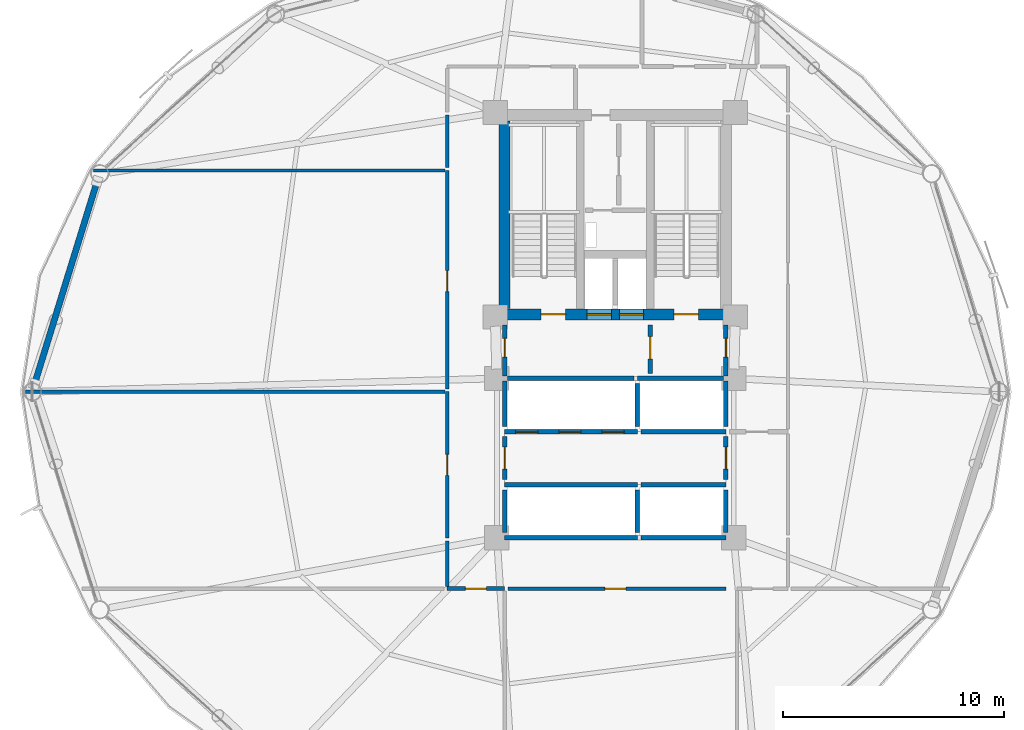
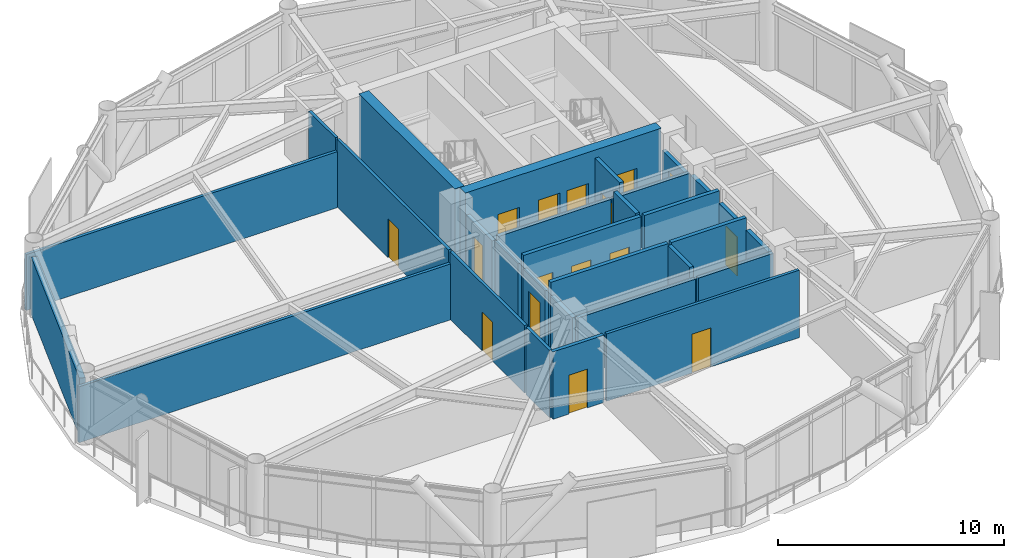
# One storey, part 21 of 26: 30 walls, 16 doors, 16 openings.
"""IFC4 building model written with IfcOpenShell, lengths in metres."""

from ifc_helpers import new_model, si_unit, direction, frame, frame_2d, origin, place, context, subcontext, project, spatial, rectangle, extrude, material, layer, layer_set, type_object, element, fill, save


model = new_model("IFC4")

# Units and contexts
model_context = context("Model", 3, precision=1e-05, world=origin(), true_north=direction((0.0, 1.0)))
body_context = subcontext(model_context, "Body", "Model", "MODEL_VIEW")
ifc_project = project(units=[si_unit("LENGTHUNIT", "METRE"), si_unit("AREAUNIT", "SQUARE_METRE"), si_unit("VOLUMEUNIT", "CUBIC_METRE"), si_unit("PLANEANGLEUNIT", "RADIAN"), si_unit("MASSUNIT", "GRAM", prefix="KILO")], contexts=[model_context])

# Site, building, storey
site_placement = place(None, origin())
site = spatial("IfcSite", under=ifc_project, at=site_placement, CompositionType="ELEMENT")
building_placement = place(site_placement, origin())
building = spatial("IfcBuilding", under=site, at=building_placement, Name="Varnakorn Sky Granary", CompositionType="ELEMENT")
storey_placement = place(building_placement, frame((0.0, 0.0, 87.60009765625)))
storey = spatial("IfcBuildingStorey", under=building, at=storey_placement, Name="L21", CompositionType="ELEMENT", Elevation=87.60009765625)

# Wall, openings, doors
ifc_material_1 = material(Name="Concrete C60/75", Category="concrete")
ifc_layer_1 = layer(ifc_material_1, 0.5, Name="Concrete C60/75")
ifc_layer_set_1 = layer_set([ifc_layer_1], Name="Concrete C60/75")
wall_type_1 = type_object("IfcWallType", Name="WT-CW-SHEAR-500", PredefinedType="SHEAR", material=ifc_layer_set_1)
wall_1_placement = place(storey_placement, frame((-2.0, 3.5, 0.0), z_axis=(0.0, 0.0, 1.0), x_axis=(1.0, 0.0, 0.0)))
wall_1 = element("IfcWall", 1, at=wall_1_placement, inside=storey, type_object=wall_type_1, Name="Core South Shear Wall L21", PredefinedType="SHEAR", context=body_context, shape_type="SweptSolid", body=[
    extrude(rectangle(XDim=10.0, YDim=0.5, at=frame_2d((5.0, 0.0))), origin(), (0.0, 0.0, 1.0), 3.891845703125),
])
opening_1_placement = place(wall_1_placement, frame((1.64990234375, 0.0, 0.0)))
opening_1 = element("IfcOpeningElement", 2, at=opening_1_placement, cuts=wall_1, Name="Opening FD-90", PredefinedType="OPENING", context=body_context, shape_type="SweptSolid", body=[
    extrude(rectangle(XDim=1.10009765625, YDim=2.14990234375, at=frame_2d((0.550048828125, 1.074951171875))), frame((0.0, 0.260009765625, 0.0), z_axis=(0.0, -1.0, 0.0), x_axis=(1.0, 0.0, 0.0)), (0.0, 0.0, 1.0), 0.52001953125),
])
opening_2_placement = place(wall_1_placement, frame((7.64990234375, 0.0, 0.0)))
opening_2 = element("IfcOpeningElement", 3, at=opening_2_placement, cuts=wall_1, Name="Opening FD-90", PredefinedType="OPENING", context=body_context, shape_type="SweptSolid", body=[
    extrude(rectangle(XDim=1.10009765625, YDim=2.14990234375, at=frame_2d((0.550048828125, 1.074951171875))), frame((0.0, 0.260009765625, 0.0), z_axis=(0.0, -1.0, 0.0), x_axis=(1.0, 0.0, 0.0)), (0.0, 0.0, 1.0), 0.52001953125),
])
opening_3_placement = place(wall_1_placement, frame((3.719970703125, 0.0, 0.0)))
opening_3 = element("IfcOpeningElement", 4, at=opening_3_placement, cuts=wall_1, Name="Opening LD-01", PredefinedType="OPENING", context=body_context, shape_type="SweptSolid", body=[
    extrude(rectangle(XDim=1.10009765625, YDim=2.199951171875, at=frame_2d((0.550048828125, 1.10009765625))), frame((0.0, 0.260009765625, 0.0), z_axis=(0.0, -1.0, 0.0), x_axis=(1.0, 0.0, 0.0)), (0.0, 0.0, 1.0), 0.52001953125),
])
opening_4_placement = place(wall_1_placement, frame((5.179931640625, 0.0, 0.0)))
opening_4 = element("IfcOpeningElement", 5, at=opening_4_placement, cuts=wall_1, Name="Opening LD-01", PredefinedType="OPENING", context=body_context, shape_type="SweptSolid", body=[
    extrude(rectangle(XDim=1.10009765625, YDim=2.199951171875, at=frame_2d((0.550048828125, 1.10009765625))), frame((0.0, 0.260009765625, 0.0), z_axis=(0.0, -1.0, 0.0), x_axis=(1.0, 0.0, 0.0)), (0.0, 0.0, 1.0), 0.52001953125),
])
ifc_material_2 = material(Name="Brushed Bronze Stainless Steel", Category="steel")
door_type_1 = type_object("IfcDoorType", Name="DR-LD-1100", OperationType="DOUBLE_DOOR_SLIDING", PredefinedType="DOOR", material=ifc_material_2)
door_1_placement = place(opening_3_placement, origin())
door_1 = element("IfcDoor", 6, at=door_1_placement, inside=storey, type_object=door_type_1, Name="Firefighting Lift FFL-1 Landing Door L21", OperationType="DOUBLE_DOOR_SLIDING", OverallHeight=2.199951171875, OverallWidth=1.10009765625, PredefinedType="DOOR", context=body_context, shape_type="SweptSolid", body=[
    extrude(rectangle(XDim=1.10009765625, YDim=2.199951171875, at=frame_2d((0.550048828125, 1.10009765625))), frame((0.0, 0.02490234375, 0.0), z_axis=(0.0, -1.0, 0.0), x_axis=(1.0, 0.0, 0.0)), (0.0, 0.0, 1.0), 0.050048828125),
])
fill(opening_3, door_1)
door_2_placement = place(opening_4_placement, origin())
door_2 = element("IfcDoor", 7, at=door_2_placement, inside=storey, type_object=door_type_1, Name="Firefighting Lift FFL-2 Landing Door L21", OperationType="DOUBLE_DOOR_SLIDING", OverallHeight=2.199951171875, OverallWidth=1.10009765625, PredefinedType="DOOR", context=body_context, shape_type="SweptSolid", body=[
    extrude(rectangle(XDim=1.10009765625, YDim=2.199951171875, at=frame_2d((0.550048828125, 1.10009765625))), frame((0.0, 0.02490234375, 0.0), z_axis=(0.0, -1.0, 0.0), x_axis=(1.0, 0.0, 0.0)), (0.0, 0.0, 1.0), 0.050048828125),
])
fill(opening_4, door_2)
ifc_material_3 = material(Name="Galvanised Painted Steel Leaf", Category="steel")
door_type_2 = type_object("IfcDoorType", Name="DR-STAIR-1100", OperationType="NOTDEFINED", PredefinedType="DOOR", material=ifc_material_3)
door_3_placement = place(opening_1_placement, origin())
door_3 = element("IfcDoor", 8, at=door_3_placement, inside=storey, type_object=door_type_2, Name="Stair ST-1 Protected Fire Door L21", OperationType="SINGLE_SWING_LEFT", OverallHeight=2.14990234375, OverallWidth=1.10009765625, PredefinedType="DOOR", context=body_context, shape_type="SweptSolid", body=[
    extrude(rectangle(XDim=1.10009765625, YDim=2.14990234375, at=frame_2d((0.550048828125, 1.074951171875))), frame((0.0, 0.02490234375, 0.0), z_axis=(0.0, -1.0, 0.0), x_axis=(1.0, 0.0, 0.0)), (0.0, 0.0, 1.0), 0.050048828125),
])
fill(opening_1, door_3)
door_4_placement = place(opening_2_placement, origin())
door_4 = element("IfcDoor", 9, at=door_4_placement, inside=storey, type_object=door_type_2, Name="Stair ST-2 Protected Fire Door L21", OperationType="SINGLE_SWING_RIGHT", OverallHeight=2.14990234375, OverallWidth=1.10009765625, PredefinedType="DOOR", context=body_context, shape_type="SweptSolid", body=[
    extrude(rectangle(XDim=1.10009765625, YDim=2.14990234375, at=frame_2d((0.550048828125, 1.074951171875))), frame((0.0, 0.02490234375, 0.0), z_axis=(0.0, -1.0, 0.0), x_axis=(1.0, 0.0, 0.0)), (0.0, 0.0, 1.0), 0.050048828125),
])
fill(opening_2, door_4)

# Walls
wall_2_placement = place(storey_placement, frame((-2.0, 3.760009765625, 0.0), z_axis=(0.0, 0.0, 1.0), x_axis=(0.0, 1.0, 0.0)))
element("IfcWall", 10, at=wall_2_placement, inside=storey, type_object=wall_type_1, Name="Core West Shear Wall L21", PredefinedType="SHEAR", context=body_context, shape_type="SweptSolid", body=[
    extrude(rectangle(XDim=8.47998046875, YDim=0.5, at=frame_2d((4.239990234375, 0.0))), origin(), (0.0, 0.0, 1.0), 3.891845703125),
])
ifc_material_4 = material(Name="Precast concrete C40/50", Category="concrete")
ifc_layer_2 = layer(ifc_material_4, 0.280029296875, Name="Precast concrete C40/50")
ifc_layer_set_2 = layer_set([ifc_layer_2], Name="Precast concrete C40/50")
wall_type_2 = type_object("IfcWallType", Name="WT-EW-CRN-280", PredefinedType="SOLIDWALL", material=ifc_layer_set_2)
wall_3_placement = place(storey_placement, frame((-23.243408203125, 0.345458984375, 0.0), z_axis=(0.0, 0.0, 1.0), x_axis=(0.295087073691, 0.955470365286, 0.0)))
element("IfcWall", 11, at=wall_3_placement, inside=storey, type_object=wall_type_2, Name="Agritech Insulated Precast Facade Wall L21-P06", PredefinedType="SOLIDWALL", context=body_context, shape_type="SweptSolid", body=[
    extrude(rectangle(XDim=9.593994140625, YDim=0.280029296875, at=frame_2d((4.796875, 0.0))), origin(), (0.0, 0.0, 1.0), 3.10986328125),
])

# Wall, opening, door
ifc_material_5 = material(Name="Autoclaved Aerated Concrete Blockwork", Category="masonry")
ifc_layer_3 = layer(ifc_material_5, 0.199951171875, Name="Autoclaved Aerated Concrete Blockwork")
ifc_layer_set_3 = layer_set([ifc_layer_3], Name="Autoclaved Aerated Concrete Blockwork")
wall_type_3 = type_object("IfcWallType", Name="WT-FIRE-200", PredefinedType="MOVABLE", material=ifc_layer_set_3)
wall_4_placement = place(storey_placement, frame((4.580078125, 0.830078125, 0.0), z_axis=(0.0, 0.0, 1.0), x_axis=(0.0, 1.0, 0.0)))
wall_4 = element("IfcWall", 12, at=wall_4_placement, inside=storey, type_object=wall_type_3, Name="Interior Partition Wall L21-017", PredefinedType="MOVABLE", context=body_context, shape_type="SweptSolid", body=[
    extrude(rectangle(XDim=2.18994140625, YDim=0.199951171875, at=frame_2d((1.094970703125, 0.0))), origin(), (0.0, 0.0, 1.0), 3.639892578125),
])
opening_5_placement = place(wall_4_placement, frame((0.659912109375, 0.0, 0.0)))
opening_5 = element("IfcOpeningElement", 13, at=opening_5_placement, cuts=wall_4, Name="Opening FD-60", PredefinedType="OPENING", context=body_context, shape_type="SweptSolid", body=[
    extrude(rectangle(XDim=1.0, YDim=2.10009765625, at=frame_2d((0.5, 1.050048828125))), frame((0.0, 0.10986328125, 0.0), z_axis=(0.0, -1.0, 0.0), x_axis=(1.0, 0.0, 0.0)), (0.0, 0.0, 1.0), 0.219970703125),
])
ifc_material_6 = material(Name="Acoustic Timber Fire Leaf", Category="wood")
door_type_3 = type_object("IfcDoorType", Name="DR-FD60-1000", OperationType="NOTDEFINED", PredefinedType="DOOR", material=ifc_material_6)
door_5_placement = place(opening_5_placement, origin())
door_5 = element("IfcDoor", 14, at=door_5_placement, inside=storey, type_object=door_type_3, Name="Interior Door L21-017-1", OperationType="SINGLE_SWING_RIGHT", OverallHeight=2.10009765625, OverallWidth=1.0, PredefinedType="DOOR", context=body_context, shape_type="SweptSolid", body=[
    extrude(rectangle(XDim=1.0, YDim=2.10009765625, at=frame_2d((0.5, 1.050048828125))), frame((0.0, 0.02490234375, 0.0), z_axis=(0.0, -1.0, 0.0), x_axis=(1.0, 0.0, 0.0)), (0.0, 0.0, 1.0), 0.050048828125),
])
fill(opening_5, door_5)

wall_5_placement = place(storey_placement, frame((-2.0, 0.719970703125, 0.0), z_axis=(0.0, 0.0, 1.0), x_axis=(0.0, 1.0, 0.0)))
wall_5 = element("IfcWall", 15, at=wall_5_placement, inside=storey, type_object=wall_type_3, Name="Interior Partition Wall L21-018", PredefinedType="MOVABLE", context=body_context, shape_type="SweptSolid", body=[
    extrude(rectangle(XDim=2.300048828125, YDim=0.199951171875, at=frame_2d((1.14990234375, 0.0))), origin(), (0.0, 0.0, 1.0), 2.871826171875),
])
opening_6_placement = place(wall_5_placement, frame((0.844970703125, 0.0, 0.0)))
opening_6 = element("IfcOpeningElement", 16, at=opening_6_placement, cuts=wall_5, Name="Opening FD-60N", PredefinedType="OPENING", context=body_context, shape_type="SweptSolid", body=[
    extrude(rectangle(XDim=0.85009765625, YDim=2.10009765625, at=frame_2d((0.425048828125, 1.050048828125))), frame((0.0, 0.10986328125, 0.0), z_axis=(0.0, -1.0, 0.0), x_axis=(1.0, 0.0, 0.0)), (0.0, 0.0, 1.0), 0.219970703125),
])
door_type_4 = type_object("IfcDoorType", Name="DR-FD60-850", OperationType="NOTDEFINED", PredefinedType="DOOR", material=ifc_material_6)
door_6_placement = place(opening_6_placement, origin())
door_6 = element("IfcDoor", 17, at=door_6_placement, inside=storey, type_object=door_type_4, Name="Interior Door L21-018-1", OperationType="SINGLE_SWING_LEFT", OverallHeight=2.10009765625, OverallWidth=0.85009765625, PredefinedType="DOOR", context=body_context, shape_type="SweptSolid", body=[
    extrude(rectangle(XDim=0.85009765625, YDim=2.10009765625, at=frame_2d((0.425048828125, 1.050048828125))), frame((0.0, 0.02490234375, 0.0), z_axis=(0.0, -1.0, 0.0), x_axis=(1.0, 0.0, 0.0)), (0.0, 0.0, 1.0), 0.050048828125),
])
fill(opening_6, door_6)

wall_6_placement = place(storey_placement, frame((8.0, 0.719970703125, 0.0), z_axis=(0.0, 0.0, 1.0), x_axis=(0.0, 1.0, 0.0)))
wall_6 = element("IfcWall", 18, at=wall_6_placement, inside=storey, type_object=wall_type_3, Name="Interior Partition Wall L21-019", PredefinedType="MOVABLE", context=body_context, shape_type="SweptSolid", body=[
    extrude(rectangle(XDim=2.300048828125, YDim=0.199951171875, at=frame_2d((1.14990234375, 0.0))), origin(), (0.0, 0.0, 1.0), 2.871826171875),
])
opening_7_placement = place(wall_6_placement, frame((0.844970703125, 0.0, 0.0)))
opening_7 = element("IfcOpeningElement", 19, at=opening_7_placement, cuts=wall_6, Name="Opening FD-60N", PredefinedType="OPENING", context=body_context, shape_type="SweptSolid", body=[
    extrude(rectangle(XDim=0.85009765625, YDim=2.10009765625, at=frame_2d((0.425048828125, 1.050048828125))), frame((0.0, 0.10986328125, 0.0), z_axis=(0.0, -1.0, 0.0), x_axis=(1.0, 0.0, 0.0)), (0.0, 0.0, 1.0), 0.219970703125),
])
door_7_placement = place(opening_7_placement, origin())
door_7 = element("IfcDoor", 20, at=door_7_placement, inside=storey, type_object=door_type_4, Name="Interior Door L21-019-1", OperationType="SINGLE_SWING_RIGHT", OverallHeight=2.10009765625, OverallWidth=0.85009765625, PredefinedType="DOOR", context=body_context, shape_type="SweptSolid", body=[
    extrude(rectangle(XDim=0.85009765625, YDim=2.10009765625, at=frame_2d((0.425048828125, 1.050048828125))), frame((0.0, 0.02490234375, 0.0), z_axis=(0.0, -1.0, 0.0), x_axis=(1.0, 0.0, 0.0)), (0.0, 0.0, 1.0), 0.050048828125),
])
fill(opening_7, door_7)

wall_7_placement = place(storey_placement, frame((-2.0, -3.969970703125, 0.0), z_axis=(0.0, 0.0, 1.0), x_axis=(0.0, 1.0, 0.0)))
wall_7 = element("IfcWall", 21, at=wall_7_placement, inside=storey, type_object=wall_type_3, Name="Interior Partition Wall L21-020", PredefinedType="MOVABLE", context=body_context, shape_type="SweptSolid", body=[
    extrude(rectangle(XDim=1.93994140625, YDim=0.199951171875, at=frame_2d((0.969970703125, 0.0))), origin(), (0.0, 0.0, 1.0), 3.02197265625),
])
opening_8_placement = place(wall_7_placement, frame((0.469970703125, 0.0, 0.0)))
opening_8 = element("IfcOpeningElement", 22, at=opening_8_placement, cuts=wall_7, Name="Opening FD-60", PredefinedType="OPENING", context=body_context, shape_type="SweptSolid", body=[
    extrude(rectangle(XDim=1.0, YDim=2.10009765625, at=frame_2d((0.5, 1.050048828125))), frame((0.0, 0.10986328125, 0.0), z_axis=(0.0, -1.0, 0.0), x_axis=(1.0, 0.0, 0.0)), (0.0, 0.0, 1.0), 0.219970703125),
])
door_8_placement = place(opening_8_placement, origin())
door_8 = element("IfcDoor", 23, at=door_8_placement, inside=storey, type_object=door_type_3, Name="Interior Door L21-020-1", OperationType="SINGLE_SWING_LEFT", OverallHeight=2.10009765625, OverallWidth=1.0, PredefinedType="DOOR", context=body_context, shape_type="SweptSolid", body=[
    extrude(rectangle(XDim=1.0, YDim=2.10009765625, at=frame_2d((0.5, 1.050048828125))), frame((0.0, 0.02490234375, 0.0), z_axis=(0.0, -1.0, 0.0), x_axis=(1.0, 0.0, 0.0)), (0.0, 0.0, 1.0), 0.050048828125),
])
fill(opening_8, door_8)

wall_8_placement = place(storey_placement, frame((8.0, -3.969970703125, 0.0), z_axis=(0.0, 0.0, 1.0), x_axis=(0.0, 1.0, 0.0)))
wall_8 = element("IfcWall", 24, at=wall_8_placement, inside=storey, type_object=wall_type_3, Name="Interior Partition Wall L21-021", PredefinedType="MOVABLE", context=body_context, shape_type="SweptSolid", body=[
    extrude(rectangle(XDim=1.93994140625, YDim=0.199951171875, at=frame_2d((0.969970703125, 0.0))), origin(), (0.0, 0.0, 1.0), 3.072021484375),
])
opening_9_placement = place(wall_8_placement, frame((0.469970703125, 0.0, 0.0)))
opening_9 = element("IfcOpeningElement", 25, at=opening_9_placement, cuts=wall_8, Name="Opening FD-60", PredefinedType="OPENING", context=body_context, shape_type="SweptSolid", body=[
    extrude(rectangle(XDim=1.0, YDim=2.10009765625, at=frame_2d((0.5, 1.050048828125))), frame((0.0, 0.10986328125, 0.0), z_axis=(0.0, -1.0, 0.0), x_axis=(1.0, 0.0, 0.0)), (0.0, 0.0, 1.0), 0.219970703125),
])
door_9_placement = place(opening_9_placement, origin())
door_9 = element("IfcDoor", 26, at=door_9_placement, inside=storey, type_object=door_type_3, Name="Interior Door L21-021-1", OperationType="SINGLE_SWING_RIGHT", OverallHeight=2.10009765625, OverallWidth=1.0, PredefinedType="DOOR", context=body_context, shape_type="SweptSolid", body=[
    extrude(rectangle(XDim=1.0, YDim=2.10009765625, at=frame_2d((0.5, 1.050048828125))), frame((0.0, 0.02490234375, 0.0), z_axis=(0.0, -1.0, 0.0), x_axis=(1.0, 0.0, 0.0)), (0.0, 0.0, 1.0), 0.050048828125),
])
fill(opening_9, door_9)

# Wall
wall_9_placement = place(storey_placement, frame((-1.8798828125, 0.60009765625, 0.0), z_axis=(0.0, 0.0, 1.0), x_axis=(1.0, 0.0, 0.0)))
element("IfcWall", 27, at=wall_9_placement, inside=storey, type_object=wall_type_3, Name="Interior Partition Wall L21-031", PredefinedType="MOVABLE", context=body_context, shape_type="SweptSolid", body=[
    extrude(rectangle(XDim=5.719970703125, YDim=0.199951171875, at=frame_2d((2.85986328125, 0.0))), origin(), (0.0, 0.0, 1.0), 3.171875),
])

# Wall, opening, door
ifc_material_7 = material(Name="Gypsum Plasterboard on Steel Stud", Category="steel")
ifc_layer_4 = layer(ifc_material_7, 0.14990234375, Name="Gypsum Plasterboard on Steel Stud")
ifc_layer_set_4 = layer_set([ifc_layer_4], Name="Gypsum Plasterboard on Steel Stud")
wall_type_4 = type_object("IfcWallType", Name="WT-PART-150", PredefinedType="PARTITIONING", material=ifc_layer_set_4)
wall_10_placement = place(storey_placement, frame((-1.85009765625, -8.89990234375, 0.0), z_axis=(0.0, 0.0, 1.0), x_axis=(1.0, 0.0, 0.0)))
wall_10 = element("IfcWall", 28, at=wall_10_placement, inside=storey, type_object=wall_type_4, Name="Interior Partition Wall L21-025", PredefinedType="PARTITIONING", context=body_context, shape_type="SweptSolid", body=[
    extrude(rectangle(XDim=9.85009765625, YDim=0.14990234375, at=frame_2d((4.925048828125, 0.0))), origin(), (0.0, 0.0, 1.0), 3.639892578125),
])
opening_10_placement = place(wall_10_placement, frame((4.375, 0.0, 0.0)))
opening_10 = element("IfcOpeningElement", 29, at=opening_10_placement, cuts=wall_10, Name="Opening ID-95", PredefinedType="OPENING", context=body_context, shape_type="SweptSolid", body=[
    extrude(rectangle(XDim=0.949951171875, YDim=2.10009765625, at=frame_2d((0.47509765625, 1.050048828125))), frame((0.0, 0.0849609375, 0.0), z_axis=(0.0, -1.0, 0.0), x_axis=(1.0, 0.0, 0.0)), (0.0, 0.0, 1.0), 0.169921875),
])
ifc_material_8 = material(Name="Solid-Core Teak Veneer Leaf", Category="timber")
door_type_5 = type_object("IfcDoorType", Name="DR-INT-950", OperationType="NOTDEFINED", PredefinedType="DOOR", material=ifc_material_8)
door_10_placement = place(opening_10_placement, origin())
door_10 = element("IfcDoor", 30, at=door_10_placement, inside=storey, type_object=door_type_5, Name="Interior Door L21-025-1", OperationType="SINGLE_SWING_RIGHT", OverallHeight=2.10009765625, OverallWidth=0.949951171875, PredefinedType="DOOR", context=body_context, shape_type="SweptSolid", body=[
    extrude(rectangle(XDim=0.949951171875, YDim=2.10009765625, at=frame_2d((0.47509765625, 1.050048828125))), frame((0.0, 0.02490234375, 0.0), z_axis=(0.0, -1.0, 0.0), x_axis=(1.0, 0.0, 0.0)), (0.0, 0.0, 1.0), 0.050048828125),
])
fill(opening_10, door_10)

wall_11_placement = place(storey_placement, frame((-4.60009765625, 0.0, 0.0), z_axis=(0.0, 0.0, 1.0), x_axis=(0.0, -1.0, 0.0)))
wall_11 = element("IfcWall", 31, at=wall_11_placement, inside=storey, type_object=wall_type_4, Name="Interior Partition Wall L21-027", PredefinedType="PARTITIONING", context=body_context, shape_type="SweptSolid", body=[
    extrude(rectangle(XDim=6.60009765625, YDim=0.14990234375, at=frame_2d((3.300048828125, 0.0))), origin(), (0.0, 0.0, 1.0), 3.639892578125),
])
opening_11_placement = place(wall_11_placement, frame((2.824951171875, 0.0, 0.0)))
opening_11 = element("IfcOpeningElement", 32, at=opening_11_placement, cuts=wall_11, Name="Opening ID-95", PredefinedType="OPENING", context=body_context, shape_type="SweptSolid", body=[
    extrude(rectangle(XDim=0.949951171875, YDim=2.10009765625, at=frame_2d((0.47509765625, 1.050048828125))), frame((0.0, 0.0849609375, 0.0), z_axis=(0.0, -1.0, 0.0), x_axis=(1.0, 0.0, 0.0)), (0.0, 0.0, 1.0), 0.169921875),
])
door_11_placement = place(opening_11_placement, origin())
door_11 = element("IfcDoor", 33, at=door_11_placement, inside=storey, type_object=door_type_5, Name="Interior Door L21-027-1", OperationType="SINGLE_SWING_RIGHT", OverallHeight=2.10009765625, OverallWidth=0.949951171875, PredefinedType="DOOR", context=body_context, shape_type="SweptSolid", body=[
    extrude(rectangle(XDim=0.949951171875, YDim=2.10009765625, at=frame_2d((0.47509765625, 1.050048828125))), frame((0.0, 0.02490234375, 0.0), z_axis=(0.0, -1.0, 0.0), x_axis=(1.0, 0.0, 0.0)), (0.0, 0.0, 1.0), 0.050048828125),
])
fill(opening_11, door_11)

wall_12_placement = place(storey_placement, frame((-4.60009765625, 10.0, 0.0), z_axis=(0.0, 0.0, 1.0), x_axis=(0.0, -1.0, 0.0)))
wall_12 = element("IfcWall", 34, at=wall_12_placement, inside=storey, type_object=wall_type_4, Name="Interior Partition Wall L21-028", PredefinedType="PARTITIONING", context=body_context, shape_type="SweptSolid", body=[
    extrude(rectangle(XDim=9.864990234375, YDim=0.14990234375, at=frame_2d((4.9326171875, 0.0))), origin(), (0.0, 0.0, 1.0), 3.639892578125),
])
opening_12_placement = place(wall_12_placement, frame((4.52490234375, 0.0, 0.0)))
opening_12 = element("IfcOpeningElement", 35, at=opening_12_placement, cuts=wall_12, Name="Opening ID-95", PredefinedType="OPENING", context=body_context, shape_type="SweptSolid", body=[
    extrude(rectangle(XDim=0.949951171875, YDim=2.10009765625, at=frame_2d((0.47509765625, 1.050048828125))), frame((0.0, 0.0849609375, 0.0), z_axis=(0.0, -1.0, 0.0), x_axis=(1.0, 0.0, 0.0)), (0.0, 0.0, 1.0), 0.169921875),
])
door_12_placement = place(opening_12_placement, origin())
door_12 = element("IfcDoor", 36, at=door_12_placement, inside=storey, type_object=door_type_5, Name="Interior Door L21-028-1", OperationType="SINGLE_SWING_LEFT", OverallHeight=2.10009765625, OverallWidth=0.949951171875, PredefinedType="DOOR", context=body_context, shape_type="SweptSolid", body=[
    extrude(rectangle(XDim=0.949951171875, YDim=2.10009765625, at=frame_2d((0.47509765625, 1.050048828125))), frame((0.0, 0.02490234375, 0.0), z_axis=(0.0, -1.0, 0.0), x_axis=(1.0, 0.0, 0.0)), (0.0, 0.0, 1.0), 0.050048828125),
])
fill(opening_12, door_12)

# Walls
wall_13_placement = place(storey_placement, frame((-4.60009765625, -6.735107421875, 0.0), z_axis=(0.0, 0.0, 1.0), x_axis=(0.0, -1.0, 0.0)))
element("IfcWall", 37, at=wall_13_placement, inside=storey, type_object=wall_type_4, Name="Interior Partition Wall L21-038", PredefinedType="PARTITIONING", context=body_context, shape_type="SweptSolid", body=[
    extrude(rectangle(XDim=2.06494140625, YDim=0.14990234375, at=frame_2d((1.032470703125, 0.0))), origin(), (0.0, 0.0, 1.0), 3.639892578125),
])
wall_14_placement = place(storey_placement, frame((-23.659912109375, 0.0, 0.0), z_axis=(0.0, 0.0, 1.0), x_axis=(1.0, 0.0, 0.0)))
element("IfcWall", 38, at=wall_14_placement, inside=storey, type_object=wall_type_4, Name="Interior Partition Wall L21-039", PredefinedType="PARTITIONING", context=body_context, shape_type="SweptSolid", body=[
    extrude(rectangle(XDim=18.974853515625, YDim=0.14990234375, at=frame_2d((9.4873046875, 0.0))), origin(), (0.0, 0.0, 1.0), 3.02197265625),
])
wall_15_placement = place(storey_placement, frame((-20.580078125, 10.0, 0.0), z_axis=(0.0, 0.0, 1.0), x_axis=(1.0, 0.0, 0.0)))
element("IfcWall", 39, at=wall_15_placement, inside=storey, type_object=wall_type_4, Name="Interior Partition Wall L21-040", PredefinedType="PARTITIONING", context=body_context, shape_type="SweptSolid", body=[
    extrude(rectangle(XDim=15.89501953125, YDim=0.14990234375, at=frame_2d((7.947509765625, 0.0))), origin(), (0.0, 0.0, 1.0), 3.02197265625),
])
wall_16_placement = place(storey_placement, frame((-4.60009765625, 12.5, 0.0), z_axis=(0.0, 0.0, 1.0), x_axis=(0.0, -1.0, 0.0)))
element("IfcWall", 40, at=wall_16_placement, inside=storey, type_object=wall_type_4, Name="Interior Partition Wall L21-042", PredefinedType="PARTITIONING", context=body_context, shape_type="SweptSolid", body=[
    extrude(rectangle(XDim=2.364990234375, YDim=0.14990234375, at=frame_2d((1.1826171875, 0.0))), origin(), (0.0, 0.0, 1.0), 3.639892578125),
])

# Wall, opening, door
ifc_material_9 = material(Name="Moisture-Resistant Gypsum on Stud", Category="gypsum")
ifc_layer_5 = layer(ifc_material_9, 0.179931640625, Name="Moisture-Resistant Gypsum on Stud")
ifc_layer_set_5 = layer_set([ifc_layer_5], Name="Moisture-Resistant Gypsum on Stud")
wall_type_5 = type_object("IfcWallType", Name="WT-PLUMB-180", PredefinedType="PLUMBINGWALL", material=ifc_layer_set_5)
wall_17_placement = place(storey_placement, frame((-4.60009765625, -8.89990234375, 0.0), z_axis=(0.0, 0.0, 1.0), x_axis=(1.0, 0.0, 0.0)))
wall_17 = element("IfcWall", 41, at=wall_17_placement, inside=storey, type_object=wall_type_5, Name="Interior Partition Wall L21-024", PredefinedType="PLUMBINGWALL", context=body_context, shape_type="SweptSolid", body=[
    extrude(rectangle(XDim=2.60009765625, YDim=0.179931640625, at=frame_2d((1.300048828125, 0.0))), origin(), (0.0, 0.0, 1.0), 3.639892578125),
])
opening_13_placement = place(wall_17_placement, frame((0.824951171875, 0.0, 0.0)))
opening_13 = element("IfcOpeningElement", 42, at=opening_13_placement, cuts=wall_17, Name="Opening ID-95", PredefinedType="OPENING", context=body_context, shape_type="SweptSolid", body=[
    extrude(rectangle(XDim=0.949951171875, YDim=2.10009765625, at=frame_2d((0.47509765625, 1.050048828125))), frame((0.0, 0.10009765625, 0.0), z_axis=(0.0, -1.0, 0.0), x_axis=(1.0, 0.0, 0.0)), (0.0, 0.0, 1.0), 0.199951171875),
])
door_13_placement = place(opening_13_placement, origin())
door_13 = element("IfcDoor", 43, at=door_13_placement, inside=storey, type_object=door_type_5, Name="Interior Door L21-024-1", OperationType="SINGLE_SWING_LEFT", OverallHeight=2.10009765625, OverallWidth=0.949951171875, PredefinedType="DOOR", context=body_context, shape_type="SweptSolid", body=[
    extrude(rectangle(XDim=0.949951171875, YDim=2.10009765625, at=frame_2d((0.47509765625, 1.050048828125))), frame((0.0, 0.02490234375, 0.0), z_axis=(0.0, -1.0, 0.0), x_axis=(1.0, 0.0, 0.0)), (0.0, 0.0, 1.0), 0.050048828125),
])
fill(opening_13, door_13)

# Wall
ifc_layer_6 = layer(ifc_material_5, 0.199951171875, Name="Autoclaved Aerated Concrete Blockwork")
ifc_layer_set_6 = layer_set([ifc_layer_6], Name="Autoclaved Aerated Concrete Blockwork")
wall_type_6 = type_object("IfcWallType", Name="WT-SHAFT-200", PredefinedType="SOLIDWALL", material=ifc_layer_set_6)
wall_18_placement = place(storey_placement, frame((4.0, 0.60009765625, 0.0), z_axis=(0.0, 0.0, 1.0), x_axis=(1.0, 0.0, 0.0)))
element("IfcWall", 44, at=wall_18_placement, inside=storey, type_object=wall_type_6, Name="Interior Partition Wall L21-002", PredefinedType="SOLIDWALL", context=body_context, shape_type="SweptSolid", body=[
    extrude(rectangle(XDim=3.8798828125, YDim=0.199951171875, at=frame_2d((1.93994140625, 0.0))), origin(), (0.0, 0.0, 1.0), 3.171875),
])

# Wall, openings, doors
wall_19_placement = place(storey_placement, frame((-2.0, -1.800048828125, 0.0), z_axis=(0.0, 0.0, 1.0), x_axis=(1.0, 0.0, 0.0)))
wall_19 = element("IfcWall", 45, at=wall_19_placement, inside=storey, type_object=wall_type_6, Name="Interior Partition Wall L21-003", PredefinedType="SOLIDWALL", context=body_context, shape_type="SweptSolid", body=[
    extrude(rectangle(XDim=6.0, YDim=0.199951171875, at=frame_2d((3.0, 0.0))), origin(), (0.0, 0.0, 1.0), 3.639892578125),
])
opening_14_placement = place(wall_19_placement, frame((0.5, 0.0, 0.0)))
opening_14 = element("IfcOpeningElement", 46, at=opening_14_placement, cuts=wall_19, Name="Opening LD-03", PredefinedType="OPENING", context=body_context, shape_type="SweptSolid", body=[
    extrude(rectangle(XDim=1.0, YDim=2.199951171875, at=frame_2d((0.5, 1.10009765625))), frame((0.0, 0.10986328125, 0.0), z_axis=(0.0, -1.0, 0.0), x_axis=(1.0, 0.0, 0.0)), (0.0, 0.0, 1.0), 0.219970703125),
])
opening_15_placement = place(wall_19_placement, frame((2.449951171875, 0.0, 0.0)))
opening_15 = element("IfcOpeningElement", 47, at=opening_15_placement, cuts=wall_19, Name="Opening LD-03", PredefinedType="OPENING", context=body_context, shape_type="SweptSolid", body=[
    extrude(rectangle(XDim=1.0, YDim=2.199951171875, at=frame_2d((0.5, 1.10009765625))), frame((0.0, 0.10986328125, 0.0), z_axis=(0.0, -1.0, 0.0), x_axis=(1.0, 0.0, 0.0)), (0.0, 0.0, 1.0), 0.219970703125),
])
opening_16_placement = place(wall_19_placement, frame((4.39990234375, 0.0, 0.0)))
opening_16 = element("IfcOpeningElement", 48, at=opening_16_placement, cuts=wall_19, Name="Opening LD-03", PredefinedType="OPENING", context=body_context, shape_type="SweptSolid", body=[
    extrude(rectangle(XDim=1.0, YDim=2.199951171875, at=frame_2d((0.5, 1.10009765625))), frame((0.0, 0.10986328125, 0.0), z_axis=(0.0, -1.0, 0.0), x_axis=(1.0, 0.0, 0.0)), (0.0, 0.0, 1.0), 0.219970703125),
])
door_type_6 = type_object("IfcDoorType", Name="DR-LD-1000", OperationType="DOUBLE_DOOR_SLIDING", PredefinedType="DOOR", material=ifc_material_2)
door_14_placement = place(opening_14_placement, origin())
door_14 = element("IfcDoor", 49, at=door_14_placement, inside=storey, type_object=door_type_6, Name="Passenger Lift PL-L1 Sliding Landing Door L21", OperationType="DOUBLE_DOOR_SLIDING", OverallHeight=2.199951171875, OverallWidth=1.0, PredefinedType="DOOR", context=body_context, shape_type="SweptSolid", body=[
    extrude(rectangle(XDim=1.0, YDim=2.199951171875, at=frame_2d((0.5, 1.10009765625))), frame((0.0, 0.02490234375, 0.0), z_axis=(0.0, -1.0, 0.0), x_axis=(1.0, 0.0, 0.0)), (0.0, 0.0, 1.0), 0.050048828125),
])
fill(opening_14, door_14)
door_15_placement = place(opening_15_placement, origin())
door_15 = element("IfcDoor", 50, at=door_15_placement, inside=storey, type_object=door_type_6, Name="Passenger Lift PL-L2 Sliding Landing Door L21", OperationType="DOUBLE_DOOR_SLIDING", OverallHeight=2.199951171875, OverallWidth=1.0, PredefinedType="DOOR", context=body_context, shape_type="SweptSolid", body=[
    extrude(rectangle(XDim=1.0, YDim=2.199951171875, at=frame_2d((0.5, 1.10009765625))), frame((0.0, 0.02490234375, 0.0), z_axis=(0.0, -1.0, 0.0), x_axis=(1.0, 0.0, 0.0)), (0.0, 0.0, 1.0), 0.050048828125),
])
fill(opening_15, door_15)
door_16_placement = place(opening_16_placement, origin())
door_16 = element("IfcDoor", 51, at=door_16_placement, inside=storey, type_object=door_type_6, Name="Passenger Lift PL-L3 Sliding Landing Door L21", OperationType="DOUBLE_DOOR_SLIDING", OverallHeight=2.199951171875, OverallWidth=1.0, PredefinedType="DOOR", context=body_context, shape_type="SweptSolid", body=[
    extrude(rectangle(XDim=1.0, YDim=2.199951171875, at=frame_2d((0.5, 1.10009765625))), frame((0.0, 0.02490234375, 0.0), z_axis=(0.0, -1.0, 0.0), x_axis=(1.0, 0.0, 0.0)), (0.0, 0.0, 1.0), 0.050048828125),
])
fill(opening_16, door_16)

# Walls
wall_20_placement = place(storey_placement, frame((-2.0, -1.570068359375, 0.0), z_axis=(0.0, 0.0, 1.0), x_axis=(0.0, 1.0, 0.0)))
element("IfcWall", 52, at=wall_20_placement, inside=storey, type_object=wall_type_6, Name="Interior Partition Wall L21-004", PredefinedType="SOLIDWALL", context=body_context, shape_type="SweptSolid", body=[
    extrude(rectangle(XDim=2.050048828125, YDim=0.199951171875, at=frame_2d((1.02490234375, 0.0))), origin(), (0.0, 0.0, 1.0), 3.02197265625),
])
wall_21_placement = place(storey_placement, frame((4.159912109375, -1.800048828125, 0.0), z_axis=(0.0, 0.0, 1.0), x_axis=(1.0, 0.0, 0.0)))
element("IfcWall", 53, at=wall_21_placement, inside=storey, type_object=wall_type_6, Name="Interior Partition Wall L21-005", PredefinedType="SOLIDWALL", context=body_context, shape_type="SweptSolid", body=[
    extrude(rectangle(XDim=3.840087890625, YDim=0.199951171875, at=frame_2d((1.919921875, 0.0))), origin(), (0.0, 0.0, 1.0), 3.639892578125),
])
wall_22_placement = place(storey_placement, frame((4.0, -1.570068359375, 0.0), z_axis=(0.0, 0.0, 1.0), x_axis=(0.0, 1.0, 0.0)))
element("IfcWall", 54, at=wall_22_placement, inside=storey, type_object=wall_type_6, Name="Interior Partition Wall L21-006", PredefinedType="SOLIDWALL", context=body_context, shape_type="SweptSolid", body=[
    extrude(rectangle(XDim=1.940185546875, YDim=0.199951171875, at=frame_2d((0.97021484375, 0.0))), origin(), (0.0, 0.0, 1.0), 3.639892578125),
])
wall_23_placement = place(storey_placement, frame((8.0, -1.570068359375, 0.0), z_axis=(0.0, 0.0, 1.0), x_axis=(0.0, 1.0, 0.0)))
element("IfcWall", 55, at=wall_23_placement, inside=storey, type_object=wall_type_6, Name="Interior Partition Wall L21-007", PredefinedType="SOLIDWALL", context=body_context, shape_type="SweptSolid", body=[
    extrude(rectangle(XDim=2.050048828125, YDim=0.199951171875, at=frame_2d((1.02490234375, 0.0))), origin(), (0.0, 0.0, 1.0), 3.072021484375),
])
wall_24_placement = place(storey_placement, frame((-2.0, -4.199951171875, 0.0), z_axis=(0.0, 0.0, 1.0), x_axis=(1.0, 0.0, 0.0)))
element("IfcWall", 56, at=wall_24_placement, inside=storey, type_object=wall_type_6, Name="Interior Partition Wall L21-008", PredefinedType="SOLIDWALL", context=body_context, shape_type="SweptSolid", body=[
    extrude(rectangle(XDim=6.0, YDim=0.199951171875, at=frame_2d((3.0, 0.0))), origin(), (0.0, 0.0, 1.0), 3.639892578125),
])
wall_25_placement = place(storey_placement, frame((-2.0, -6.60009765625, 0.0), z_axis=(0.0, 0.0, 1.0), x_axis=(1.0, 0.0, 0.0)))
element("IfcWall", 57, at=wall_25_placement, inside=storey, type_object=wall_type_6, Name="Interior Partition Wall L21-009", PredefinedType="SOLIDWALL", context=body_context, shape_type="SweptSolid", body=[
    extrude(rectangle(XDim=6.0, YDim=0.199951171875, at=frame_2d((3.0, 0.0))), origin(), (0.0, 0.0, 1.0), 3.171875),
])
wall_26_placement = place(storey_placement, frame((-2.0, -6.3701171875, 0.0), z_axis=(0.0, 0.0, 1.0), x_axis=(0.0, 1.0, 0.0)))
element("IfcWall", 58, at=wall_26_placement, inside=storey, type_object=wall_type_6, Name="Interior Partition Wall L21-010", PredefinedType="SOLIDWALL", context=body_context, shape_type="SweptSolid", body=[
    extrude(rectangle(XDim=1.940185546875, YDim=0.199951171875, at=frame_2d((0.97021484375, 0.0))), origin(), (0.0, 0.0, 1.0), 3.02197265625),
])
wall_27_placement = place(storey_placement, frame((4.159912109375, -4.199951171875, 0.0), z_axis=(0.0, 0.0, 1.0), x_axis=(1.0, 0.0, 0.0)))
element("IfcWall", 59, at=wall_27_placement, inside=storey, type_object=wall_type_6, Name="Interior Partition Wall L21-011", PredefinedType="SOLIDWALL", context=body_context, shape_type="SweptSolid", body=[
    extrude(rectangle(XDim=3.840087890625, YDim=0.199951171875, at=frame_2d((1.919921875, 0.0))), origin(), (0.0, 0.0, 1.0), 3.639892578125),
])
wall_28_placement = place(storey_placement, frame((4.159912109375, -6.60009765625, 0.0), z_axis=(0.0, 0.0, 1.0), x_axis=(1.0, 0.0, 0.0)))
element("IfcWall", 60, at=wall_28_placement, inside=storey, type_object=wall_type_6, Name="Interior Partition Wall L21-012", PredefinedType="SOLIDWALL", context=body_context, shape_type="SweptSolid", body=[
    extrude(rectangle(XDim=3.840087890625, YDim=0.199951171875, at=frame_2d((1.919921875, 0.0))), origin(), (0.0, 0.0, 1.0), 3.171875),
])
wall_29_placement = place(storey_placement, frame((4.0, -6.3701171875, 0.0), z_axis=(0.0, 0.0, 1.0), x_axis=(0.0, 1.0, 0.0)))
element("IfcWall", 61, at=wall_29_placement, inside=storey, type_object=wall_type_6, Name="Interior Partition Wall L21-013", PredefinedType="SOLIDWALL", context=body_context, shape_type="SweptSolid", body=[
    extrude(rectangle(XDim=1.940185546875, YDim=0.199951171875, at=frame_2d((0.97021484375, 0.0))), origin(), (0.0, 0.0, 1.0), 3.639892578125),
])
wall_30_placement = place(storey_placement, frame((8.0, -6.3701171875, 0.0), z_axis=(0.0, 0.0, 1.0), x_axis=(0.0, 1.0, 0.0)))
element("IfcWall", 62, at=wall_30_placement, inside=storey, type_object=wall_type_6, Name="Interior Partition Wall L21-014", PredefinedType="SOLIDWALL", context=body_context, shape_type="SweptSolid", body=[
    extrude(rectangle(XDim=1.940185546875, YDim=0.199951171875, at=frame_2d((0.97021484375, 0.0))), origin(), (0.0, 0.0, 1.0), 3.072021484375),
])

save(model, "model.ifc")
